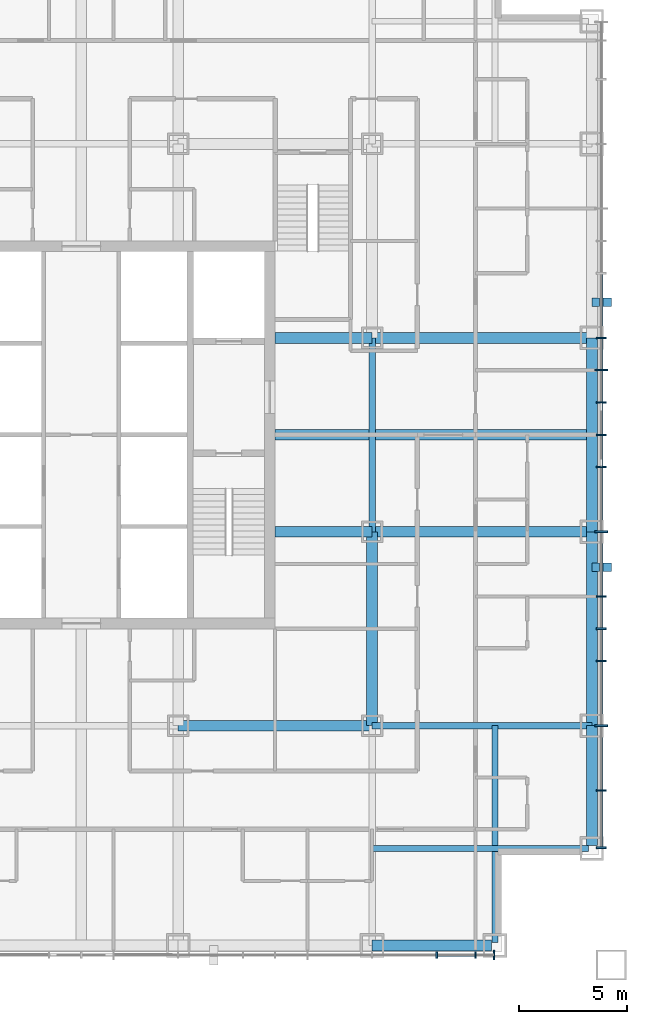
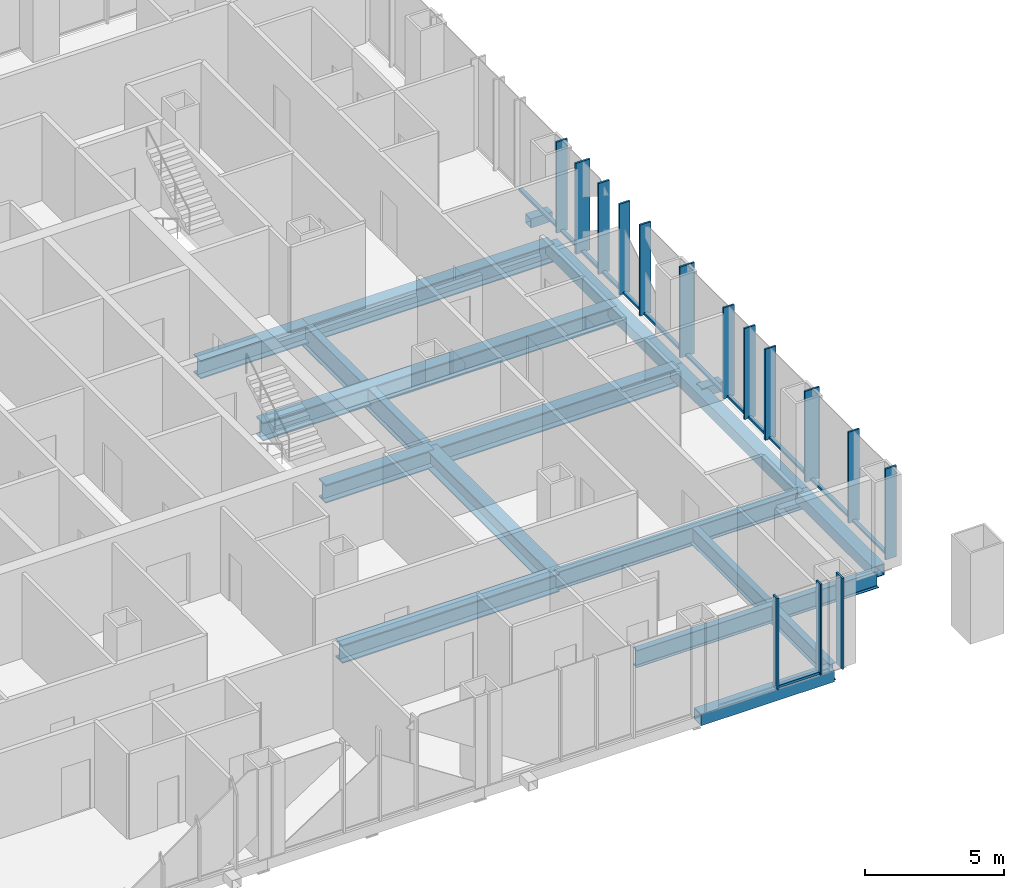
# One storey, part 4 of 16: 30 members, 15 beams, 2 elements without a shape of their own.
"""IFC4 building model written with IfcOpenShell, lengths in metres."""

from ifc_helpers import new_model, si_unit, direction, frame, origin, origin_2d, place, context, subcontext, project, spatial, rectangle, hollow_rectangle, i_section, extrude, material, layer, layer_set, material_profile, profile_set, type_object, element, aggregate, save


model = new_model("IFC4")

# Units and contexts
model_context = context("Model", 3, precision=1e-05, world=origin(), true_north=direction((0.0, 1.0)))
body_context = subcontext(model_context, "Body", "Model", "MODEL_VIEW")
ifc_project = project(units=[si_unit("LENGTHUNIT", "METRE"), si_unit("AREAUNIT", "SQUARE_METRE"), si_unit("VOLUMEUNIT", "CUBIC_METRE"), si_unit("PLANEANGLEUNIT", "RADIAN"), si_unit("MASSUNIT", "GRAM", prefix="KILO")], contexts=[model_context])

# Site, building, storey
site_placement = place(None, origin())
site = spatial("IfcSite", under=ifc_project, at=site_placement, CompositionType="ELEMENT")
building_placement = place(site_placement, origin())
building = spatial("IfcBuilding", under=site, at=building_placement, Name="Malebo Sky Hospital", CompositionType="ELEMENT")
storey_placement = place(building_placement, frame((0.0, 0.0, 152.0)))
storey = spatial("IfcBuildingStorey", under=building, at=storey_placement, Name="L36", CompositionType="ELEMENT", Elevation=152.0)

# Curtain wall, member
ifc_material_1 = material(Name="Anodised aluminium, natural silver", Category="aluminium")
ifc_layer_1 = layer(ifc_material_1, 0.25)
ifc_layer_set_1 = layer_set([ifc_layer_1], Name="WARD CURTAIN WALL NORTH AND SOUTH")
curtain_wall_type_1 = type_object("IfcCurtainWallType", Name="WARD CURTAIN WALL NORTH AND SOUTH", PredefinedType="NOTDEFINED", material=ifc_layer_set_1)
curtain_wall_1_placement = place(storey_placement, origin())
curtain_wall_1 = element("IfcCurtainWall", 1, at=curtain_wall_1_placement, inside=storey, type_object=curtain_wall_type_1, Name="NS curtain wall S", PredefinedType="NOTDEFINED")
ifc_material_profile_1 = material_profile(ifc_material_1, rectangle(XDim=0.14990234375, YDim=0.10009765625, at=origin_2d()), Name="ALUMINIUM TRANSOM 150x100")
ifc_profile_set_1 = profile_set([ifc_material_profile_1], Name="Anodised aluminium, natural silver")
member_type_1 = type_object("IfcMemberType", Name="ALUMINIUM TRANSOM 150x100", PredefinedType="USERDEFINED", material=ifc_profile_set_1)
member_1_placement = place(storey_placement, frame((78.262451171875, 37.864990234375, 0.050048828125), z_axis=(-1.0, 0.0, 0.0), x_axis=(0.0, -1.0, 0.0)))
member_1 = element("IfcMember", 2, at=member_1_placement, type_object=member_type_1, Name="Transom 2", ObjectType="TRANSOM", PredefinedType="USERDEFINED", context=body_context, shape_type="SweptSolid", body=[
    extrude(rectangle(XDim=0.14990234375, YDim=0.10009765625, at=origin_2d()), origin(), (0.0, 0.0, 1.0), 1.724853515625),
])

# Curtain wall, members
ifc_layer_2 = layer(ifc_material_1, 0.25)
ifc_layer_set_2 = layer_set([ifc_layer_2], Name="WARD CURTAIN WALL EAST AND WEST")
curtain_wall_type_2 = type_object("IfcCurtainWallType", Name="WARD CURTAIN WALL EAST AND WEST", PredefinedType="NOTDEFINED", material=ifc_layer_set_2)
curtain_wall_2_placement = place(storey_placement, origin())
curtain_wall_2 = element("IfcCurtainWall", 3, at=curtain_wall_2_placement, inside=storey, type_object=curtain_wall_type_2, Name="EW curtain wall E", PredefinedType="NOTDEFINED")
member_2_placement = place(storey_placement, frame((84.135009765625, 69.46240234375, 0.050048828125), z_axis=(0.0, -1.0, 0.0), x_axis=(1.0, 0.0, 0.0)))
member_2 = element("IfcMember", 4, at=member_2_placement, type_object=member_type_1, Name="Transom 7", ObjectType="TRANSOM", PredefinedType="USERDEFINED", context=body_context, shape_type="SweptSolid", body=[
    extrude(rectangle(XDim=0.14990234375, YDim=0.10009765625, at=origin_2d()), origin(), (0.0, 0.0, 1.0), 2.9248046875),
])
member_3_placement = place(storey_placement, frame((84.135009765625, 66.46240234375, 0.050048828125), z_axis=(0.0, -1.0, 0.0), x_axis=(1.0, 0.0, 0.0)))
member_3 = element("IfcMember", 5, at=member_3_placement, type_object=member_type_1, Name="Transom 8", ObjectType="TRANSOM", PredefinedType="USERDEFINED", context=body_context, shape_type="SweptSolid", body=[
    extrude(rectangle(XDim=0.14990234375, YDim=0.10009765625, at=origin_2d()), origin(), (0.0, 0.0, 1.0), 1.4248046875),
])
member_4_placement = place(storey_placement, frame((84.135009765625, 64.96240234375, 0.050048828125), z_axis=(0.0, -1.0, 0.0), x_axis=(1.0, 0.0, 0.0)))
member_4 = element("IfcMember", 6, at=member_4_placement, type_object=member_type_1, Name="Transom 9", ObjectType="TRANSOM", PredefinedType="USERDEFINED", context=body_context, shape_type="SweptSolid", body=[
    extrude(rectangle(XDim=0.14990234375, YDim=0.10009765625, at=origin_2d()), origin(), (0.0, 0.0, 1.0), 1.4248046875),
])
member_5_placement = place(storey_placement, frame((84.135009765625, 63.46240234375, 0.050048828125), z_axis=(0.0, -1.0, 0.0), x_axis=(1.0, 0.0, 0.0)))
member_5 = element("IfcMember", 7, at=member_5_placement, type_object=member_type_1, Name="Transom 10", ObjectType="TRANSOM", PredefinedType="USERDEFINED", context=body_context, shape_type="SweptSolid", body=[
    extrude(rectangle(XDim=0.14990234375, YDim=0.10009765625, at=origin_2d()), origin(), (0.0, 0.0, 1.0), 1.4248046875),
])
member_6_placement = place(storey_placement, frame((84.135009765625, 61.96240234375, 0.050048828125), z_axis=(0.0, -1.0, 0.0), x_axis=(1.0, 0.0, 0.0)))
member_6 = element("IfcMember", 8, at=member_6_placement, type_object=member_type_1, Name="Transom 11", ObjectType="TRANSOM", PredefinedType="USERDEFINED", context=body_context, shape_type="SweptSolid", body=[
    extrude(rectangle(XDim=0.14990234375, YDim=0.10009765625, at=origin_2d()), origin(), (0.0, 0.0, 1.0), 1.4248046875),
])
member_7_placement = place(storey_placement, frame((84.135009765625, 60.46240234375, 0.050048828125), z_axis=(0.0, -1.0, 0.0), x_axis=(1.0, 0.0, 0.0)))
member_7 = element("IfcMember", 9, at=member_7_placement, type_object=member_type_1, Name="Transom 12", ObjectType="TRANSOM", PredefinedType="USERDEFINED", context=body_context, shape_type="SweptSolid", body=[
    extrude(rectangle(XDim=0.14990234375, YDim=0.10009765625, at=origin_2d()), origin(), (0.0, 0.0, 1.0), 2.9248046875),
])
member_8_placement = place(storey_placement, frame((84.135009765625, 57.46240234375, 0.050048828125), z_axis=(0.0, -1.0, 0.0), x_axis=(1.0, 0.0, 0.0)))
member_8 = element("IfcMember", 10, at=member_8_placement, type_object=member_type_1, Name="Transom 13", ObjectType="TRANSOM", PredefinedType="USERDEFINED", context=body_context, shape_type="SweptSolid", body=[
    extrude(rectangle(XDim=0.14990234375, YDim=0.10009765625, at=origin_2d()), origin(), (0.0, 0.0, 1.0), 2.9248046875),
])
member_9_placement = place(storey_placement, frame((84.135009765625, 54.46240234375, 0.050048828125), z_axis=(0.0, -1.0, 0.0), x_axis=(1.0, 0.0, 0.0)))
member_9 = element("IfcMember", 11, at=member_9_placement, type_object=member_type_1, Name="Transom 14", ObjectType="TRANSOM", PredefinedType="USERDEFINED", context=body_context, shape_type="SweptSolid", body=[
    extrude(rectangle(XDim=0.14990234375, YDim=0.10009765625, at=origin_2d()), origin(), (0.0, 0.0, 1.0), 1.4248046875),
])
member_10_placement = place(storey_placement, frame((84.135009765625, 52.96240234375, 0.050048828125), z_axis=(0.0, -1.0, 0.0), x_axis=(1.0, 0.0, 0.0)))
member_10 = element("IfcMember", 12, at=member_10_placement, type_object=member_type_1, Name="Transom 15", ObjectType="TRANSOM", PredefinedType="USERDEFINED", context=body_context, shape_type="SweptSolid", body=[
    extrude(rectangle(XDim=0.14990234375, YDim=0.10009765625, at=origin_2d()), origin(), (0.0, 0.0, 1.0), 1.4248046875),
])
member_11_placement = place(storey_placement, frame((84.135009765625, 51.46240234375, 0.050048828125), z_axis=(0.0, -1.0, 0.0), x_axis=(1.0, 0.0, 0.0)))
member_11 = element("IfcMember", 13, at=member_11_placement, type_object=member_type_1, Name="Transom 16", ObjectType="TRANSOM", PredefinedType="USERDEFINED", context=body_context, shape_type="SweptSolid", body=[
    extrude(rectangle(XDim=0.14990234375, YDim=0.10009765625, at=origin_2d()), origin(), (0.0, 0.0, 1.0), 2.9248046875),
])
member_12_placement = place(storey_placement, frame((84.135009765625, 48.46240234375, 0.050048828125), z_axis=(0.0, -1.0, 0.0), x_axis=(1.0, 0.0, 0.0)))
member_12 = element("IfcMember", 14, at=member_12_placement, type_object=member_type_1, Name="Transom 17", ObjectType="TRANSOM", PredefinedType="USERDEFINED", context=body_context, shape_type="SweptSolid", body=[
    extrude(rectangle(XDim=0.14990234375, YDim=0.10009765625, at=origin_2d()), origin(), (0.0, 0.0, 1.0), 2.9248046875),
])
member_13_placement = place(storey_placement, frame((84.135009765625, 45.46240234375, 0.050048828125), z_axis=(0.0, -1.0, 0.0), x_axis=(1.0, 0.0, 0.0)))
member_13 = element("IfcMember", 15, at=member_13_placement, type_object=member_type_1, Name="Transom 18", ObjectType="TRANSOM", PredefinedType="USERDEFINED", context=body_context, shape_type="SweptSolid", body=[
    extrude(rectangle(XDim=0.14990234375, YDim=0.10009765625, at=origin_2d()), origin(), (0.0, 0.0, 1.0), 2.58740234375),
])

# Members
ifc_material_2 = material(Name="Steel S355", Category="steel")
ifc_material_profile_2 = material_profile(ifc_material_2, hollow_rectangle(XDim=0.39990234375, YDim=0.39990234375, WallThickness=0.02001953125, at=origin_2d()), Name="SHS 400x20")
ifc_profile_set_2 = profile_set([ifc_material_profile_2], Name="Steel S355")
member_type_2 = type_object("IfcMemberType", Name="BRACE STRUT SHS 400x20", PredefinedType="STRUT", material=ifc_profile_set_2)
for number, where, z_axis, x_axis, name in (
    (16, (84.60009765625, 55.85009765625, -0.39990234375), (-1.0, 0.0, 0.0), (0.0, -1.0, 0.0), "Brace strut BE1 L36"),
    (17, (84.60009765625, 68.14990234375, -0.39990234375), (-1.0, 0.0, 0.0), (0.0, -1.0, 0.0), "Brace strut BE2 L36"),
):
    element("IfcMember", number, at=place(storey_placement, frame(where, z_axis=z_axis, x_axis=x_axis)), inside=storey, type_object=member_type_2, Name=name, PredefinedType="STRUT", context=body_context, shape_type="SweptSolid", body=[
        extrude(hollow_rectangle(XDim=0.39990234375, YDim=0.39990234375, WallThickness=0.02001953125, at=origin_2d()), origin(), (0.0, 0.0, 1.0), 0.900146484375),
    ])

# Member
ifc_material_profile_3 = material_profile(ifc_material_1, rectangle(XDim=0.074951171875, YDim=0.300048828125, at=origin_2d()), Name="CW1 ALUMINIUM FIN MULLION 75x300")
ifc_profile_set_3 = profile_set([ifc_material_profile_3], Name="Anodised aluminium, natural silver")
member_type_3 = type_object("IfcMemberType", Name="CW1 ALUMINIUM FIN MULLION 75x300", PredefinedType="MULLION", material=ifc_profile_set_3)
member_14_placement = place(storey_placement, frame((78.300048828125, 37.864990234375, 0.0), z_axis=(0.0, 0.0, 1.0), x_axis=(-1.0, 0.0, 0.0)))
member_14 = element("IfcMember", 18, at=member_14_placement, type_object=member_type_3, Name="Fin mullion 2", PredefinedType="MULLION", context=body_context, shape_type="SweptSolid", body=[
    extrude(rectangle(XDim=0.074951171875, YDim=0.300048828125, at=origin_2d()), origin(), (0.0, 0.0, 1.0), 4.0),
])

member_15_placement = place(storey_placement, frame((76.5, 37.864990234375, 0.0), z_axis=(0.0, 0.0, 1.0), x_axis=(-1.0, 0.0, 0.0)))
member_15 = element("IfcMember", 19, at=member_15_placement, type_object=member_type_3, Name="Fin mullion 3", PredefinedType="MULLION", context=body_context, shape_type="SweptSolid", body=[
    extrude(rectangle(XDim=0.074951171875, YDim=0.300048828125, at=origin_2d()), origin(), (0.0, 0.0, 1.0), 4.0),
])

ifc_material_profile_4 = material_profile(ifc_material_1, rectangle(XDim=0.074951171875, YDim=0.449951171875, at=origin_2d()), Name="CW1 ALUMINIUM FIN MULLION 75x450")
ifc_profile_set_4 = profile_set([ifc_material_profile_4], Name="Anodised aluminium, natural silver")
member_type_4 = type_object("IfcMemberType", Name="CW1 ALUMINIUM FIN MULLION 75x450", PredefinedType="MULLION", material=ifc_profile_set_4)
member_16_placement = place(storey_placement, frame((79.16259765625, 37.864990234375, 0.0), z_axis=(0.0, 0.0, 1.0), x_axis=(-1.0, 0.0, 0.0)))
member_16 = element("IfcMember", 20, at=member_16_placement, type_object=member_type_4, Name="Fin mullion 1", PredefinedType="MULLION", context=body_context, shape_type="SweptSolid", body=[
    extrude(rectangle(XDim=0.074951171875, YDim=0.449951171875, at=origin_2d()), origin(), (0.0, 0.0, 1.0), 4.0),
])

aggregate(curtain_wall_1, [member_16, member_14, member_15, member_1])

ifc_material_profile_5 = material_profile(ifc_material_1, rectangle(XDim=0.074951171875, YDim=0.449951171875, at=origin_2d()), Name="CW2 ALUMINIUM FIN MULLION 75x450")
ifc_profile_set_5 = profile_set([ifc_material_profile_5], Name="Anodised aluminium, natural silver")
member_type_5 = type_object("IfcMemberType", Name="CW2 ALUMINIUM FIN MULLION 75x450", PredefinedType="MULLION", material=ifc_profile_set_5)
member_17_placement = place(storey_placement, frame((84.135009765625, 66.5, 0.0), z_axis=(0.0, 0.0, 1.0), x_axis=(0.0, -1.0, 0.0)))
member_17 = element("IfcMember", 21, at=member_17_placement, type_object=member_type_5, Name="Fin mullion 8", PredefinedType="MULLION", context=body_context, shape_type="SweptSolid", body=[
    extrude(rectangle(XDim=0.074951171875, YDim=0.449951171875, at=origin_2d()), origin(), (0.0, 0.0, 1.0), 4.0),
])

member_18_placement = place(storey_placement, frame((84.135009765625, 63.5, 0.0), z_axis=(0.0, 0.0, 1.0), x_axis=(0.0, -1.0, 0.0)))
member_18 = element("IfcMember", 22, at=member_18_placement, type_object=member_type_5, Name="Fin mullion 10", PredefinedType="MULLION", context=body_context, shape_type="SweptSolid", body=[
    extrude(rectangle(XDim=0.074951171875, YDim=0.449951171875, at=origin_2d()), origin(), (0.0, 0.0, 1.0), 4.0),
])

member_19_placement = place(storey_placement, frame((84.135009765625, 62.0, 0.0), z_axis=(0.0, 0.0, 1.0), x_axis=(0.0, -1.0, 0.0)))
member_19 = element("IfcMember", 23, at=member_19_placement, type_object=member_type_5, Name="Fin mullion 11", PredefinedType="MULLION", context=body_context, shape_type="SweptSolid", body=[
    extrude(rectangle(XDim=0.074951171875, YDim=0.449951171875, at=origin_2d()), origin(), (0.0, 0.0, 1.0), 4.0),
])

member_20_placement = place(storey_placement, frame((84.135009765625, 60.5, 0.0), z_axis=(0.0, 0.0, 1.0), x_axis=(0.0, -1.0, 0.0)))
member_20 = element("IfcMember", 24, at=member_20_placement, type_object=member_type_5, Name="Fin mullion 12", PredefinedType="MULLION", context=body_context, shape_type="SweptSolid", body=[
    extrude(rectangle(XDim=0.074951171875, YDim=0.449951171875, at=origin_2d()), origin(), (0.0, 0.0, 1.0), 4.0),
])

member_21_placement = place(storey_placement, frame((84.135009765625, 54.5, 0.0), z_axis=(0.0, 0.0, 1.0), x_axis=(0.0, -1.0, 0.0)))
member_21 = element("IfcMember", 25, at=member_21_placement, type_object=member_type_5, Name="Fin mullion 14", PredefinedType="MULLION", context=body_context, shape_type="SweptSolid", body=[
    extrude(rectangle(XDim=0.074951171875, YDim=0.449951171875, at=origin_2d()), origin(), (0.0, 0.0, 1.0), 4.0),
])

member_22_placement = place(storey_placement, frame((84.135009765625, 53.0, 0.0), z_axis=(0.0, 0.0, 1.0), x_axis=(0.0, -1.0, 0.0)))
member_22 = element("IfcMember", 26, at=member_22_placement, type_object=member_type_5, Name="Fin mullion 15", PredefinedType="MULLION", context=body_context, shape_type="SweptSolid", body=[
    extrude(rectangle(XDim=0.074951171875, YDim=0.449951171875, at=origin_2d()), origin(), (0.0, 0.0, 1.0), 4.0),
])

member_23_placement = place(storey_placement, frame((84.135009765625, 51.5, 0.0), z_axis=(0.0, 0.0, 1.0), x_axis=(0.0, -1.0, 0.0)))
member_23 = element("IfcMember", 27, at=member_23_placement, type_object=member_type_5, Name="Fin mullion 16", PredefinedType="MULLION", context=body_context, shape_type="SweptSolid", body=[
    extrude(rectangle(XDim=0.074951171875, YDim=0.449951171875, at=origin_2d()), origin(), (0.0, 0.0, 1.0), 4.0),
])

member_24_placement = place(storey_placement, frame((84.135009765625, 45.5, 0.0), z_axis=(0.0, 0.0, 1.0), x_axis=(0.0, -1.0, 0.0)))
member_24 = element("IfcMember", 28, at=member_24_placement, type_object=member_type_5, Name="Fin mullion 18", PredefinedType="MULLION", context=body_context, shape_type="SweptSolid", body=[
    extrude(rectangle(XDim=0.074951171875, YDim=0.449951171875, at=origin_2d()), origin(), (0.0, 0.0, 1.0), 4.0),
])

member_25_placement = place(storey_placement, frame((84.135009765625, 42.83740234375, 0.0), z_axis=(0.0, 0.0, 1.0), x_axis=(0.0, -1.0, 0.0)))
member_25 = element("IfcMember", 29, at=member_25_placement, type_object=member_type_5, Name="Fin mullion 19", PredefinedType="MULLION", context=body_context, shape_type="SweptSolid", body=[
    extrude(rectangle(XDim=0.074951171875, YDim=0.449951171875, at=origin_2d()), origin(), (0.0, 0.0, 1.0), 4.0),
])

ifc_material_profile_6 = material_profile(ifc_material_1, rectangle(XDim=0.074951171875, YDim=0.60009765625, at=origin_2d()), Name="CW2 ALUMINIUM FIN MULLION 75x600")
ifc_profile_set_6 = profile_set([ifc_material_profile_6], Name="Anodised aluminium, natural silver")
member_type_6 = type_object("IfcMemberType", Name="CW2 ALUMINIUM FIN MULLION 75x600", PredefinedType="MULLION", material=ifc_profile_set_6)
member_26_placement = place(storey_placement, frame((84.135009765625, 65.0, 0.0), z_axis=(0.0, 0.0, 1.0), x_axis=(0.0, -1.0, 0.0)))
member_26 = element("IfcMember", 30, at=member_26_placement, type_object=member_type_6, Name="Fin mullion 9", PredefinedType="MULLION", context=body_context, shape_type="SweptSolid", body=[
    extrude(rectangle(XDim=0.074951171875, YDim=0.60009765625, at=origin_2d()), origin(), (0.0, 0.0, 1.0), 4.0),
])

member_27_placement = place(storey_placement, frame((84.135009765625, 57.5, 0.0), z_axis=(0.0, 0.0, 1.0), x_axis=(0.0, -1.0, 0.0)))
member_27 = element("IfcMember", 31, at=member_27_placement, type_object=member_type_6, Name="Fin mullion 13", PredefinedType="MULLION", context=body_context, shape_type="SweptSolid", body=[
    extrude(rectangle(XDim=0.074951171875, YDim=0.60009765625, at=origin_2d()), origin(), (0.0, 0.0, 1.0), 4.0),
])

member_28_placement = place(storey_placement, frame((84.135009765625, 48.5, 0.0), z_axis=(0.0, 0.0, 1.0), x_axis=(0.0, -1.0, 0.0)))
member_28 = element("IfcMember", 32, at=member_28_placement, type_object=member_type_6, Name="Fin mullion 17", PredefinedType="MULLION", context=body_context, shape_type="SweptSolid", body=[
    extrude(rectangle(XDim=0.074951171875, YDim=0.60009765625, at=origin_2d()), origin(), (0.0, 0.0, 1.0), 4.0),
])

aggregate(curtain_wall_2, [member_17, member_26, member_18, member_19, member_20, member_27, member_21, member_22, member_23, member_28, member_24, member_25, member_2, member_3, member_4, member_5, member_6, member_7, member_8, member_9, member_10, member_11, member_12, member_13])

# Beams
ifc_material_3 = material(Name="Steel S460", Category="steel")
ifc_material_profile_7 = material_profile(ifc_material_3, hollow_rectangle(XDim=0.5, YDim=0.5, WallThickness=0.030029296875, at=origin_2d()), Name="BOX 500x500x30")
ifc_profile_set_7 = profile_set([ifc_material_profile_7], Name="Steel S460")
beam_type_1 = type_object("IfcBeamType", Name="EDGE BEAM BOX 500x500x30", PredefinedType="BEAM", material=ifc_profile_set_7)
beam_1_placement = place(storey_placement, frame((83.699951171875, 42.949951171875, -0.5), z_axis=(0.0, 1.0, 0.0), x_axis=(-1.0, 0.0, 0.0)))
element("IfcBeam", 33, at=beam_1_placement, inside=storey, type_object=beam_type_1, Name="Beam 029 L36", PredefinedType="BEAM", context=body_context, shape_type="SweptSolid", body=[
    extrude(hollow_rectangle(XDim=0.5, YDim=0.5, WallThickness=0.030029296875, at=origin_2d()), origin(), (0.0, 0.0, 1.0), 5.550048828125),
])
for number, where, z_axis, x_axis, name in (
    (34, (83.699951171875, 48.5, -0.5), (0.0, 1.0, 0.0), (-1.0, 0.0, 0.0), "Beam 030 L36"),
    (35, (83.699951171875, 57.5, -0.5), (0.0, 1.0, 0.0), (-1.0, 0.0, 0.0), "Beam 031 L36"),
):
    element("IfcBeam", number, at=place(storey_placement, frame(where, z_axis=z_axis, x_axis=x_axis)), inside=storey, type_object=beam_type_1, Name=name, PredefinedType="BEAM", context=body_context, shape_type="SweptSolid", body=[
        extrude(hollow_rectangle(XDim=0.5, YDim=0.5, WallThickness=0.030029296875, at=origin_2d()), origin(), (0.0, 0.0, 1.0), 9.0),
    ])
beam_2_placement = place(storey_placement, frame((73.5, 38.300048828125, -0.5), z_axis=(1.0, 0.0, 0.0), x_axis=(0.0, 1.0, 0.0)))
element("IfcBeam", 36, at=beam_2_placement, inside=storey, type_object=beam_type_1, Name="Beam 038 L36", PredefinedType="BEAM", context=body_context, shape_type="SweptSolid", body=[
    extrude(hollow_rectangle(XDim=0.5, YDim=0.5, WallThickness=0.030029296875, at=origin_2d()), origin(), (0.0, 0.0, 1.0), 5.550048828125),
])
ifc_material_profile_8 = material_profile(ifc_material_2, i_section(OverallWidth=0.262939453125, OverallDepth=0.7529296875, WebThickness=0.011474609375, FlangeThickness=0.01708984375, FilletRadius=0.01708984375, at=origin_2d()), Name="IPE 750x137")
ifc_profile_set_8 = profile_set([ifc_material_profile_8], Name="Steel S355")
beam_type_2 = type_object("IfcBeamType", Name="FLOOR BEAM IPE 750x137", PredefinedType="BEAM", material=ifc_profile_set_8)
for number, where, z_axis, x_axis, name in (
    (37, (79.199951171875, 38.449951171875, -0.62646484375), (0.0, 1.0, 0.0), (-1.0, 0.0, 0.0), "Beam 027 L36"),
    (38, (73.5, 42.800048828125, -0.62646484375), (1.0, 0.0, 0.0), (0.0, 1.0, 0.0), "Beam 040 L36"),
):
    element("IfcBeam", number, at=place(storey_placement, frame(where, z_axis=z_axis, x_axis=x_axis)), inside=storey, type_object=beam_type_2, Name=name, PredefinedType="BEAM", context=body_context, shape_type="SweptSolid", body=[
        extrude(i_section(OverallWidth=0.262939453125, OverallDepth=0.7529296875, WebThickness=0.011474609375, FlangeThickness=0.01708984375, FilletRadius=0.01708984375, at=origin_2d()), origin(), (0.0, 0.0, 1.0), 10.050048828125),
    ])
ifc_material_profile_9 = material_profile(ifc_material_2, i_section(OverallWidth=0.5, OverallDepth=0.800048828125, WebThickness=0.030029296875, FlangeThickness=0.050048828125, at=origin_2d()), Name="PG 800x500x30x50")
ifc_profile_set_9 = profile_set([ifc_material_profile_9], Name="Steel S355")
beam_type_3 = type_object("IfcBeamType", Name="FLOOR BEAM PG 800x500x30x50", PredefinedType="BEAM", material=ifc_profile_set_9)
for number, where, z_axis, x_axis, name in (
    (39, (73.5, 48.5, -0.64990234375), (0.0, 1.0, 0.0), (-1.0, 0.0, 0.0), "Beam 023 L36"),
    (40, (64.5, 48.5, -0.64990234375), (1.0, 0.0, 0.0), (0.0, 1.0, 0.0), "Beam 044 L36"),
):
    element("IfcBeam", number, at=place(storey_placement, frame(where, z_axis=z_axis, x_axis=x_axis)), inside=storey, type_object=beam_type_3, Name=name, PredefinedType="BEAM", context=body_context, shape_type="SweptSolid", body=[
        extrude(i_section(OverallWidth=0.5, OverallDepth=0.800048828125, WebThickness=0.030029296875, FlangeThickness=0.050048828125, at=origin_2d()), origin(), (0.0, 0.0, 1.0), 9.0),
    ])
beam_3_placement = place(storey_placement, frame((69.0, 57.5, -0.64990234375), z_axis=(1.0, 0.0, 0.0), x_axis=(0.0, 1.0, 0.0)))
element("IfcBeam", 41, at=beam_3_placement, inside=storey, type_object=beam_type_3, Name="Beam 048 L36", PredefinedType="BEAM", context=body_context, shape_type="SweptSolid", body=[
    extrude(i_section(OverallWidth=0.5, OverallDepth=0.800048828125, WebThickness=0.030029296875, FlangeThickness=0.050048828125, at=origin_2d()), origin(), (0.0, 0.0, 1.0), 4.5),
])
beam_4_placement = place(storey_placement, frame((73.5, 57.5, -0.64990234375), z_axis=(1.0, 0.0, 0.0), x_axis=(0.0, 1.0, 0.0)))
element("IfcBeam", 42, at=beam_4_placement, inside=storey, type_object=beam_type_3, Name="Beam 049 L36", PredefinedType="BEAM", context=body_context, shape_type="SweptSolid", body=[
    extrude(i_section(OverallWidth=0.5, OverallDepth=0.800048828125, WebThickness=0.030029296875, FlangeThickness=0.050048828125, at=origin_2d()), origin(), (0.0, 0.0, 1.0), 10.199951171875),
])
beam_5_placement = place(storey_placement, frame((69.0, 62.0, -0.64990234375), z_axis=(1.0, 0.0, 0.0), x_axis=(0.0, 1.0, 0.0)))
element("IfcBeam", 43, at=beam_5_placement, inside=storey, type_object=beam_type_3, Name="Beam 051 L36", PredefinedType="BEAM", context=body_context, shape_type="SweptSolid", body=[
    extrude(i_section(OverallWidth=0.5, OverallDepth=0.800048828125, WebThickness=0.030029296875, FlangeThickness=0.050048828125, at=origin_2d()), origin(), (0.0, 0.0, 1.0), 14.699951171875),
])
beam_6_placement = place(storey_placement, frame((69.0, 66.5, -0.64990234375), z_axis=(1.0, 0.0, 0.0), x_axis=(0.0, 1.0, 0.0)))
element("IfcBeam", 44, at=beam_6_placement, inside=storey, type_object=beam_type_3, Name="Beam 054 L36", PredefinedType="BEAM", context=body_context, shape_type="SweptSolid", body=[
    extrude(i_section(OverallWidth=0.5, OverallDepth=0.800048828125, WebThickness=0.030029296875, FlangeThickness=0.050048828125, at=origin_2d()), origin(), (0.0, 0.0, 1.0), 4.5),
])
beam_7_placement = place(storey_placement, frame((73.5, 66.5, -0.64990234375), z_axis=(1.0, 0.0, 0.0), x_axis=(0.0, 1.0, 0.0)))
element("IfcBeam", 45, at=beam_7_placement, inside=storey, type_object=beam_type_3, Name="Beam 055 L36", PredefinedType="BEAM", context=body_context, shape_type="SweptSolid", body=[
    extrude(i_section(OverallWidth=0.5, OverallDepth=0.800048828125, WebThickness=0.030029296875, FlangeThickness=0.050048828125, at=origin_2d()), origin(), (0.0, 0.0, 1.0), 10.199951171875),
])
ifc_material_profile_10 = material_profile(ifc_material_2, i_section(OverallWidth=0.300048828125, OverallDepth=0.800048828125, WebThickness=0.017578125, FlangeThickness=0.032958984375, FilletRadius=0.030029296875, at=origin_2d()), Name="HEB 800")
ifc_profile_set_10 = profile_set([ifc_material_profile_10], Name="Steel S355")
beam_type_4 = type_object("IfcBeamType", Name="FLOOR GIRDER HEB 800", PredefinedType="BEAM", material=ifc_profile_set_10)
beam_8_placement = place(storey_placement, frame((73.5, 48.5, -0.64990234375), z_axis=(1.0, 0.0, 0.0), x_axis=(0.0, 1.0, 0.0)))
element("IfcBeam", 46, at=beam_8_placement, inside=storey, type_object=beam_type_4, Name="Beam 045 L36", PredefinedType="BEAM", context=body_context, shape_type="SweptSolid", body=[
    extrude(i_section(OverallWidth=0.300048828125, OverallDepth=0.800048828125, WebThickness=0.017578125, FlangeThickness=0.032958984375, FilletRadius=0.030029296875, at=origin_2d()), origin(), (0.0, 0.0, 1.0), 10.199951171875),
])
ifc_material_profile_11 = material_profile(ifc_material_2, i_section(OverallWidth=0.300048828125, OverallDepth=1.0, WebThickness=0.01904296875, FlangeThickness=0.035888671875, FilletRadius=0.030029296875, at=origin_2d()), Name="HEB 1000")
ifc_profile_set_11 = profile_set([ifc_material_profile_11], Name="Steel S355")
beam_type_5 = type_object("IfcBeamType", Name="RING GIRDER HEB 1000", PredefinedType="BEAM", material=ifc_profile_set_11)
beam_9_placement = place(storey_placement, frame((73.5, 57.5, -0.75), z_axis=(0.0, 1.0, 0.0), x_axis=(-1.0, 0.0, 0.0)))
element("IfcBeam", 47, at=beam_9_placement, inside=storey, type_object=beam_type_5, Name="Beam 024 L36", PredefinedType="BEAM", context=body_context, shape_type="SweptSolid", body=[
    extrude(i_section(OverallWidth=0.300048828125, OverallDepth=1.0, WebThickness=0.01904296875, FlangeThickness=0.035888671875, FilletRadius=0.030029296875, at=origin_2d()), origin(), (0.0, 0.0, 1.0), 9.0),
])

save(model, "model.ifc")
